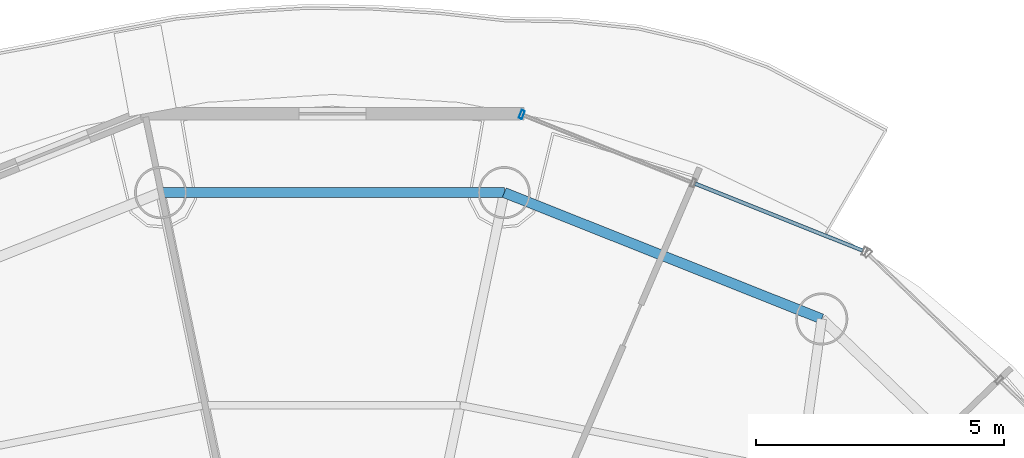
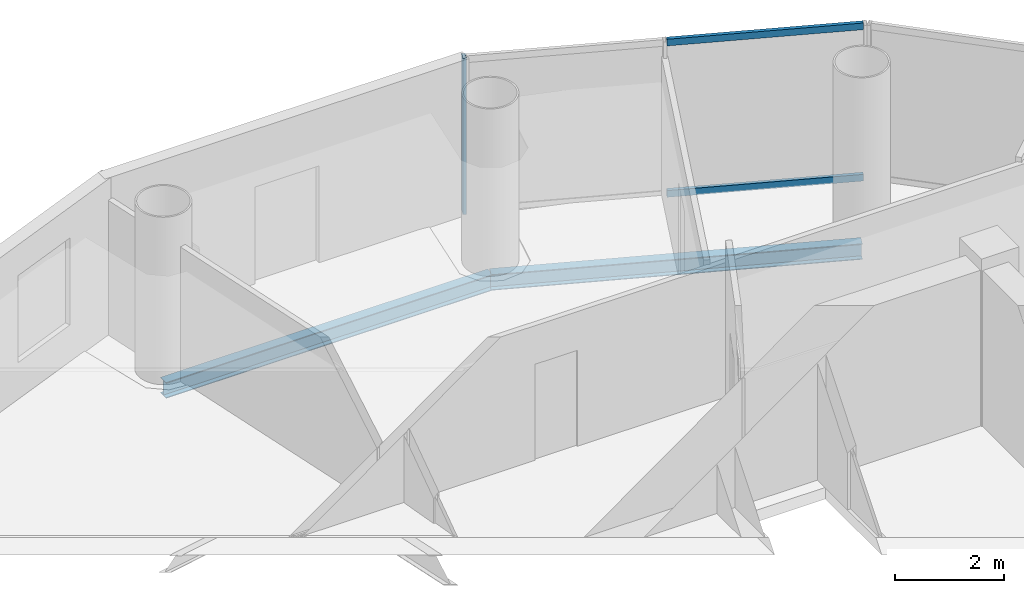
# One storey, part 14 of 23: 3 members, 2 beams, 1 element without a shape of its own.
"""IFC4 building model written with IfcOpenShell, lengths in metres."""

from ifc_helpers import new_model, si_unit, direction, frame, origin, origin_2d, place, context, subcontext, project, spatial, hollow_rectangle, i_section, extrude, source, transform, mapped, material, material_profile, profile_set, type_object, element, aggregate, save


model = new_model("IFC4")

# Units and contexts
model_context = context("Model", 3, precision=1e-05, world=origin(), true_north=direction((-0.2419218956, 0.970295726276)))
body_context = subcontext(model_context, "Body", "Model", "MODEL_VIEW")
ifc_project = project(units=[si_unit("LENGTHUNIT", "METRE"), si_unit("AREAUNIT", "SQUARE_METRE"), si_unit("VOLUMEUNIT", "CUBIC_METRE"), si_unit("PLANEANGLEUNIT", "RADIAN"), si_unit("MASSUNIT", "GRAM", prefix="KILO")], contexts=[model_context])

# Site, building, storey
site_placement = place(None, origin())
site = spatial("IfcSite", under=ifc_project, at=site_placement, CompositionType="ELEMENT")
building_placement = place(site_placement, origin())
building = spatial("IfcBuilding", under=site, at=building_placement, Name="Cobrevalo Terracotta Tower", CompositionType="ELEMENT")
storey_placement = place(building_placement, frame((0.0, 0.0, 251.949951171875)))
storey = spatial("IfcBuildingStorey", under=building, at=storey_placement, Name="L66", CompositionType="ELEMENT", Elevation=251.949951171875)

# Beams
ifc_material_1 = material(Name="Steel S355", Category="steel")
ifc_material_profile_1 = material_profile(ifc_material_1, i_section(OverallWidth=0.205078125, OverallDepth=0.35400390625, WebThickness=0.009521484375, FlangeThickness=0.016845703125, at=origin_2d()), Name="W 360x79")
ifc_profile_set_1 = profile_set([ifc_material_profile_1], Name="Steel S355")
beam_type = type_object("IfcBeamType", Name="Structural Spandrel W 360x79 (Steel S355)", PredefinedType="SPANDREL", material=ifc_profile_set_1)
beam_1_placement = place(storey_placement, frame((47.861328125, 40.9765625, -0.43701171875), z_axis=(-0.929149986048, 0.369702993533, 0.0), x_axis=(-0.369702993533, -0.929149986048, 0.0)))
element("IfcBeam", 1, at=beam_1_placement, inside=storey, type_object=beam_type, Name="L66 perimeter ring spandrel 03", PredefinedType="SPANDREL", context=body_context, shape_type="SweptSolid", body=[
    extrude(i_section(OverallWidth=0.205078125, OverallDepth=0.35400390625, WebThickness=0.009521484375, FlangeThickness=0.016845703125, at=origin_2d()), origin(), (0.0, 0.0, 1.0), 6.88623046875),
])
beam_2_placement = place(storey_placement, frame((41.462890625, 43.5224609375, -0.43701171875), z_axis=(-1.0, 0.0, 0.0), x_axis=(0.0, -1.0, 0.0)))
element("IfcBeam", 2, at=beam_2_placement, inside=storey, type_object=beam_type, Name="L66 perimeter ring spandrel 04", PredefinedType="SPANDREL", context=body_context, shape_type="SweptSolid", body=[
    extrude(i_section(OverallWidth=0.205078125, OverallDepth=0.35400390625, WebThickness=0.009521484375, FlangeThickness=0.016845703125, at=origin_2d()), origin(), (0.0, 0.0, 1.0), 6.92578125),
])

# Curtain wall, members
ifc_material_2 = material(Name="Anodized aluminium", Category="aluminium")
curtain_wall_type = type_object("IfcCurtainWallType", Name="Upper-tower triple-glazed penthouse curtain wall CW-U3", PredefinedType="NOTDEFINED", material=ifc_material_2)
curtain_wall_placement = place(storey_placement, origin())
curtain_wall = element("IfcCurtainWall", 3, at=curtain_wall_placement, inside=storey, type_object=curtain_wall_type, Name="L66 curtain wall CW-L66-S03", PredefinedType="NOTDEFINED")
ifc_material_profile_2 = material_profile(ifc_material_2, hollow_rectangle(XDim=0.070068359375, YDim=0.169921875, WallThickness=0.00439453125, at=origin_2d()), Name="CWM 70x170")
ifc_profile_set_2 = profile_set([ifc_material_profile_2], Name="Anodized aluminium")
member_type_1 = type_object("IfcMemberType", Name="Upper tower unitised mullion 70x170", PredefinedType="MULLION", material=ifc_profile_set_2)
shared_shape_1 = source(origin(), body_context, "Body", "SweptSolid", [
    extrude(hollow_rectangle(XDim=0.070068359375, YDim=0.169921875, WallThickness=0.00439453125, at=origin_2d()), origin(), (0.0, 0.0, 1.0), 3.489990234375),
])
member_1_placement = place(storey_placement, frame((41.816162109375, 45.096435546875, 0.0), z_axis=(0.0, 0.0, 1.0), x_axis=(-0.928718980883, 0.370784377433, 0.0)))
member_1 = element("IfcMember", 4, at=member_1_placement, type_object=member_type_1, Name="CW-L66-S03 vertical mullion 03", PredefinedType="MULLION", context=body_context, shape_type="MappedRepresentation", body=[
    mapped(shared_shape_1, transform((0.0, 0.0, 0.0), scale=1.0)),
])
ifc_material_profile_3 = material_profile(ifc_material_2, hollow_rectangle(XDim=0.074951171875, YDim=0.14990234375, WallThickness=0.00439453125, at=origin_2d()), Name="CWT 75x150")
ifc_profile_set_3 = profile_set([ifc_material_profile_3], Name="Anodized aluminium")
member_type_2 = type_object("IfcMemberType", Name="Tower unitised aluminium transom 75x150", PredefinedType="USERDEFINED", material=ifc_profile_set_3)
shared_shape_2 = source(origin(), body_context, "Body", "SweptSolid", [
    extrude(hollow_rectangle(XDim=0.074951171875, YDim=0.14990234375, WallThickness=0.00439453125, at=origin_2d()), origin(), (0.0, 0.0, 1.0), 3.63916015625),
])
member_2_placement = place(storey_placement, frame((48.68701171875, 42.353271484375, 0.050048828125), z_axis=(-0.928712471544, 0.370800681227, 0.0), x_axis=(-0.370800681227, -0.928712471544, 0.0)))
member_2 = element("IfcMember", 5, at=member_2_placement, type_object=member_type_2, Name="CW-L66-S03 transom B01-T1", ObjectType="TRANSOM", PredefinedType="USERDEFINED", context=body_context, shape_type="MappedRepresentation", body=[
    mapped(shared_shape_2, transform((0.0, 0.0, 0.0), scale=1.0)),
])
member_3_placement = place(storey_placement, frame((48.68701171875, 42.353271484375, 3.43994140625), z_axis=(-0.928712471544, 0.370800681227, 0.0), x_axis=(-0.370800681227, -0.928712471544, 0.0)))
member_3 = element("IfcMember", 6, at=member_3_placement, type_object=member_type_2, Name="CW-L66-S03 transom B01-T2", ObjectType="TRANSOM", PredefinedType="USERDEFINED", context=body_context, shape_type="MappedRepresentation", body=[
    mapped(shared_shape_2, transform((0.0, 0.0, 0.0), scale=1.0)),
])
aggregate(curtain_wall, [member_1, member_2, member_3])

save(model, "model.ifc")
